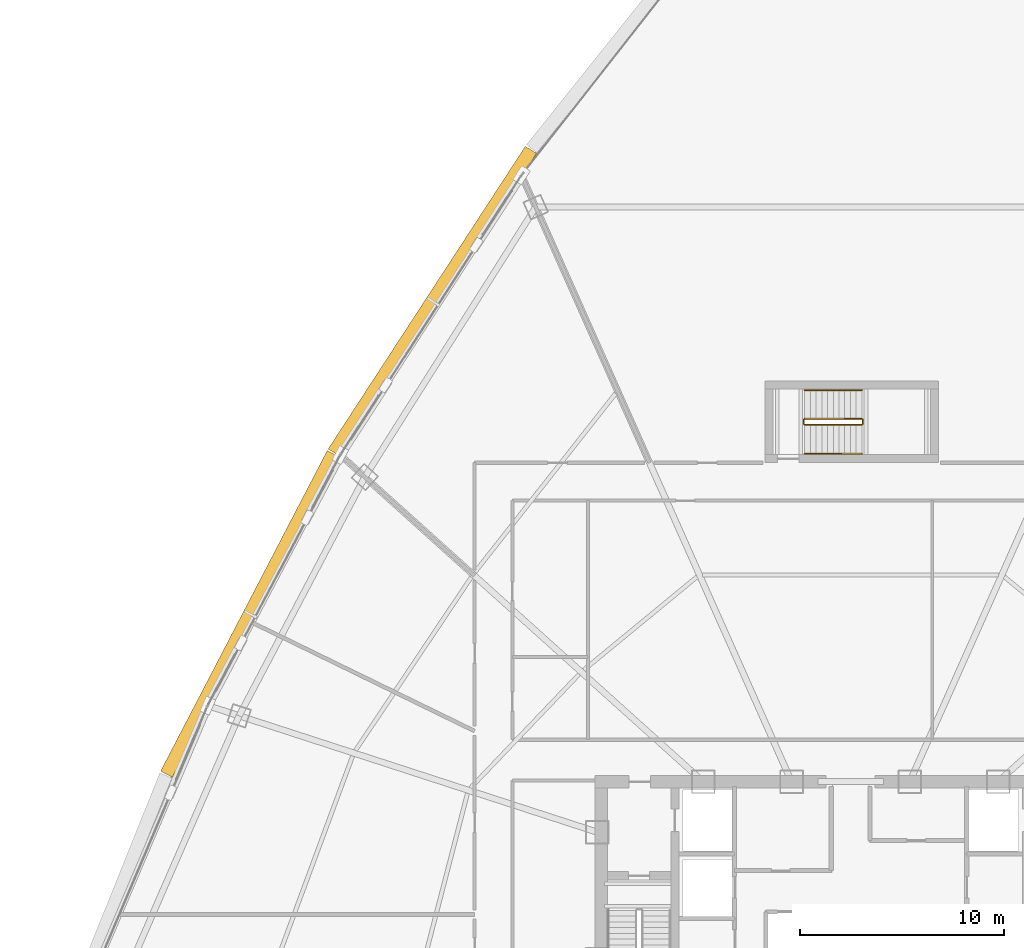
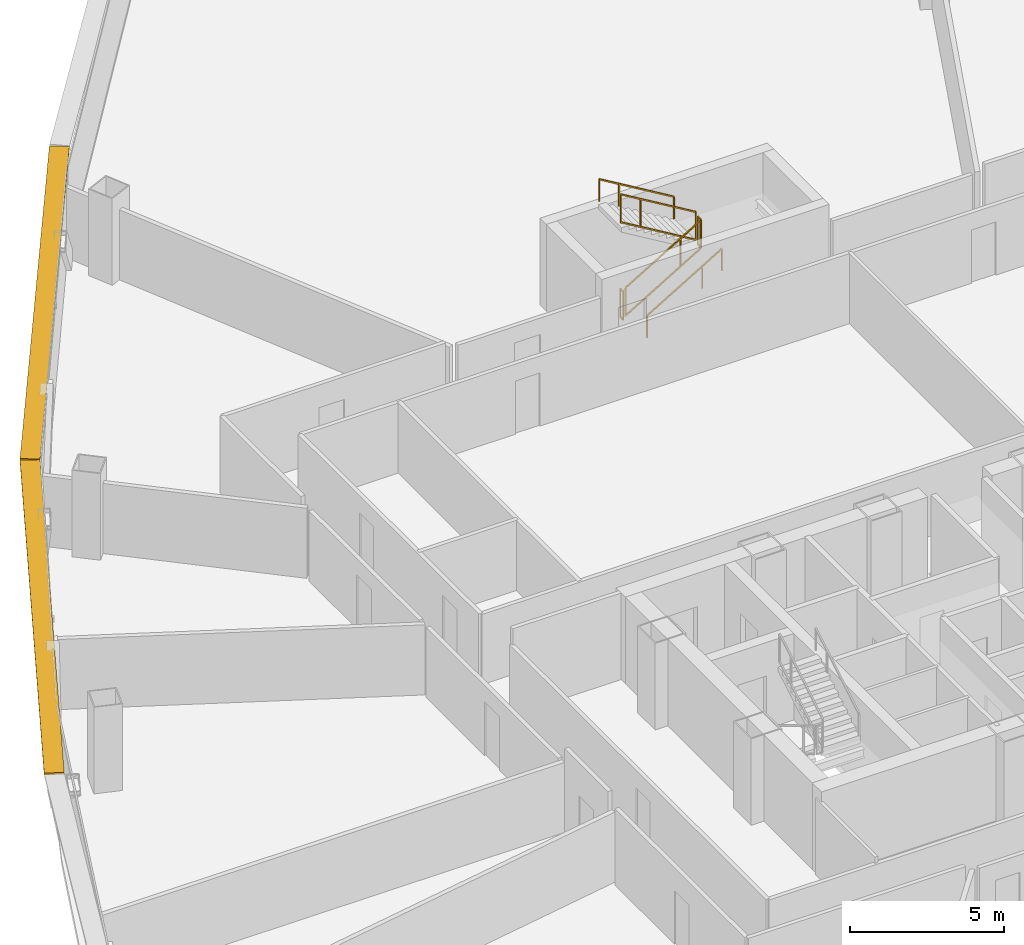
# One storey, part 38 of 39: 6 railings, 2 shading devices.
"""IFC4 building model written with IfcOpenShell, lengths in metres."""

from ifc_helpers import new_model, si_unit, direction, frame, origin, origin_2d, place, context, subcontext, project, spatial, rectangle, extrude, source, transform, mapped, material, layer, layer_set, type_object, element, save


model = new_model("IFC4")

# Units and contexts
model_context = context("Model", 3, precision=1e-05, world=origin(), true_north=direction((0.0, 1.0)))
body_context = subcontext(model_context, "Body", "Model", "MODEL_VIEW")
ifc_project = project(units=[si_unit("LENGTHUNIT", "METRE"), si_unit("AREAUNIT", "SQUARE_METRE"), si_unit("VOLUMEUNIT", "CUBIC_METRE"), si_unit("PLANEANGLEUNIT", "RADIAN"), si_unit("MASSUNIT", "GRAM", prefix="KILO"), si_unit("THERMODYNAMICTEMPERATUREUNIT", "KELVIN"), si_unit("POWERUNIT", "WATT")], contexts=[model_context])

# Site, building, storey
site_placement = place(None, origin())
site = spatial("IfcSite", under=ifc_project, at=site_placement, CompositionType="ELEMENT")
building_placement = place(site_placement, origin())
building = spatial("IfcBuilding", under=site, at=building_placement, Name="Yunzhuo Pagoda Commons", CompositionType="ELEMENT")
storey_placement = place(building_placement, frame((0.0, 0.0, 144.550048828125)))
storey = spatial("IfcBuildingStorey", under=building, at=storey_placement, Name="L36", CompositionType="ELEMENT", Elevation=144.550048828125)

# Railings
ifc_material = material(Name="Anodized aluminium 6063-T6", Category="aluminium")
railing_type_1 = type_object("IfcRailingType", Name="GR-ST3 North Well Guardrail 1155", PredefinedType="GUARDRAIL", material=ifc_material)
railing_1_placement = place(storey_placement, frame((45.75, 57.64990234375, 0.167236328125)))
element("IfcRailing", 1, at=railing_1_placement, inside=storey, type_object=railing_type_1, Name="L36 ST3 stair guard 1", PredefinedType="GUARDRAIL", context=body_context, shape_type="SweptSolid", body=[
    extrude(rectangle(XDim=0.048095703125, YDim=0.048095703125, at=origin_2d()), frame((0.0, 0.0, 1.1259765625), z_axis=(0.858495211305, 0.0, 0.512821579271), x_axis=(0.0, 1.0, 0.0)), (0.0, 0.0, 1.0), 3.261474609375),
    extrude(rectangle(XDim=0.048095703125, YDim=0.048095703125, at=origin_2d()), frame((0.0, 0.0, 0.02392578125), z_axis=(0.858495211305, 0.0, 0.512821579271), x_axis=(0.0, 1.0, 0.0)), (0.0, 0.0, 1.0), 3.261474609375),
    extrude(rectangle(XDim=0.0419921875, YDim=0.0419921875, at=origin_2d()), origin(), (0.0, 0.0, 1.0), 1.101806640625),
    extrude(rectangle(XDim=0.0419921875, YDim=0.0419921875, at=origin_2d()), frame((2.060302734375, 0.0, 1.230712890625)), (0.0, 0.0, 1.0), 1.101806640625),
    extrude(rectangle(XDim=0.0419921875, YDim=0.0419921875, at=origin_2d()), frame((2.800048828125, 0.0, 1.672607421875)), (0.0, 0.0, 1.0), 1.101806640625),
])
railing_2_placement = place(storey_placement, frame((48.60009765625, 57.699951171875, 1.83984375)))
element("IfcRailing", 2, at=railing_2_placement, inside=storey, type_object=railing_type_1, Name="L36 ST3 stair guard 2", PredefinedType="GUARDRAIL", context=body_context, shape_type="SweptSolid", body=[
    extrude(rectangle(XDim=0.048095703125, YDim=0.048095703125, at=origin_2d()), frame((0.0, 0.0, 1.1259765625), z_axis=(0.0, 1.0, 0.0), x_axis=(-1.0, 0.0, 0.0)), (0.0, 0.0, 1.0), 0.199951171875),
    extrude(rectangle(XDim=0.048095703125, YDim=0.048095703125, at=origin_2d()), frame((0.0, 0.0, 0.02392578125), z_axis=(0.0, 1.0, 0.0), x_axis=(-1.0, 0.0, 0.0)), (0.0, 0.0, 1.0), 0.199951171875),
    extrude(rectangle(XDim=0.0419921875, YDim=0.0419921875, at=origin_2d()), origin(), (0.0, 0.0, 1.0), 1.101806640625),
    extrude(rectangle(XDim=0.0419921875, YDim=0.0419921875, at=origin_2d()), frame((0.0, 0.199951171875, 0.0)), (0.0, 0.0, 1.0), 1.101806640625),
])
railing_3_placement = place(storey_placement, frame((48.550048828125, 57.949951171875, 2.00732421875)))
element("IfcRailing", 3, at=railing_3_placement, inside=storey, type_object=railing_type_1, Name="L36 ST3 stair guard 3", PredefinedType="GUARDRAIL", context=body_context, shape_type="SweptSolid", body=[
    extrude(rectangle(XDim=0.048095703125, YDim=0.048095703125, at=origin_2d()), frame((0.0, 0.0, 1.1259765625), z_axis=(-0.858495211305, 0.0, 0.512821579271), x_axis=(0.0, -1.0, 0.0)), (0.0, 0.0, 1.0), 3.261474609375),
    extrude(rectangle(XDim=0.048095703125, YDim=0.048095703125, at=origin_2d()), frame((0.0, 0.0, 0.02392578125), z_axis=(-0.858495211305, 0.0, 0.512821579271), x_axis=(0.0, -1.0, 0.0)), (0.0, 0.0, 1.0), 3.261474609375),
    extrude(rectangle(XDim=0.0419921875, YDim=0.0419921875, at=origin_2d()), origin(), (0.0, 0.0, 1.0), 1.101806640625),
    extrude(rectangle(XDim=0.0419921875, YDim=0.0419921875, at=origin_2d()), frame((-2.060302734375, 0.0, 1.230712890625)), (0.0, 0.0, 1.0), 1.101806640625),
    extrude(rectangle(XDim=0.0419921875, YDim=0.0419921875, at=origin_2d()), frame((-2.800048828125, 0.0, 1.672607421875)), (0.0, 0.0, 1.0), 1.101806640625),
])
railing_4_placement = place(storey_placement, frame((45.699951171875, 57.699951171875, 0.0)))
element("IfcRailing", 4, at=railing_4_placement, inside=storey, type_object=railing_type_1, Name="L36 ST3 stair guard 4", PredefinedType="GUARDRAIL", context=body_context, shape_type="SweptSolid", body=[
    extrude(rectangle(XDim=0.048095703125, YDim=0.048095703125, at=origin_2d()), frame((0.0, 0.0, 1.1259765625), z_axis=(0.0, 1.0, 0.0), x_axis=(-1.0, 0.0, 0.0)), (0.0, 0.0, 1.0), 0.199951171875),
    extrude(rectangle(XDim=0.048095703125, YDim=0.048095703125, at=origin_2d()), frame((0.0, 0.0, 0.02392578125), z_axis=(0.0, 1.0, 0.0), x_axis=(-1.0, 0.0, 0.0)), (0.0, 0.0, 1.0), 0.199951171875),
    extrude(rectangle(XDim=0.0419921875, YDim=0.0419921875, at=origin_2d()), origin(), (0.0, 0.0, 1.0), 1.101806640625),
    extrude(rectangle(XDim=0.0419921875, YDim=0.0419921875, at=origin_2d()), frame((0.0, 0.199951171875, 0.0)), (0.0, 0.0, 1.0), 1.101806640625),
])
railing_type_2 = type_object("IfcRailingType", Name="HR-ST3 North Stair Handrail 900", PredefinedType="HANDRAIL", material=ifc_material)
railing_5_placement = place(storey_placement, frame((45.75, 56.25, 0.167236328125)))
element("IfcRailing", 5, at=railing_5_placement, inside=storey, type_object=railing_type_2, Name="L36 ST3 stair handrail 1", PredefinedType="HANDRAIL", context=body_context, shape_type="SweptSolid", body=[
    extrude(rectangle(XDim=0.048095703125, YDim=0.048095703125, at=origin_2d()), frame((0.0, 0.0, 0.8759765625), z_axis=(0.858495211305, 0.0, 0.512821579271), x_axis=(0.0, 1.0, 0.0)), (0.0, 0.0, 1.0), 3.261474609375),
    extrude(rectangle(XDim=0.0419921875, YDim=0.0419921875, at=origin_2d()), origin(), (0.0, 0.0, 1.0), 0.851806640625),
    extrude(rectangle(XDim=0.0419921875, YDim=0.0419921875, at=origin_2d()), frame((2.060302734375, 0.0, 1.230712890625)), (0.0, 0.0, 1.0), 0.851806640625),
    extrude(rectangle(XDim=0.0419921875, YDim=0.0419921875, at=origin_2d()), frame((2.800048828125, 0.0, 1.672607421875)), (0.0, 0.0, 1.0), 0.851806640625),
])
railing_6_placement = place(storey_placement, frame((48.550048828125, 59.35009765625, 2.00732421875)))
element("IfcRailing", 6, at=railing_6_placement, inside=storey, type_object=railing_type_2, Name="L36 ST3 stair handrail 2", PredefinedType="HANDRAIL", context=body_context, shape_type="SweptSolid", body=[
    extrude(rectangle(XDim=0.048095703125, YDim=0.048095703125, at=origin_2d()), frame((0.0, 0.0, 0.8759765625), z_axis=(-0.858495211305, 0.0, 0.512821579271), x_axis=(0.0, -1.0, 0.0)), (0.0, 0.0, 1.0), 3.261474609375),
    extrude(rectangle(XDim=0.0419921875, YDim=0.0419921875, at=origin_2d()), origin(), (0.0, 0.0, 1.0), 0.851806640625),
    extrude(rectangle(XDim=0.0419921875, YDim=0.0419921875, at=origin_2d()), frame((-2.060302734375, 0.0, 1.230712890625)), (0.0, 0.0, 1.0), 0.851806640625),
    extrude(rectangle(XDim=0.0419921875, YDim=0.0419921875, at=origin_2d()), frame((-2.800048828125, 0.0, 1.672607421875)), (0.0, 0.0, 1.0), 0.851806640625),
])

# Shading devices
ifc_layer = layer(ifc_material, 0.080078125)
ifc_layer_set = layer_set([ifc_layer], Name="Anodized aluminium 6063-T6")
shading_device_type = type_object("IfcShadingDeviceType", Name="SH-SUN1 Pagoda Horizontal Sunshade Eave 650", PredefinedType="USERDEFINED", material=ifc_layer_set)
shared_shape = source(origin(), body_context, "Body", "SweptSolid", [
    extrude(rectangle(XDim=17.672607421875, YDim=0.64990234375, at=origin_2d()), origin(), (0.0, 0.0, 1.0), 0.080078125),
])
for number, where, z_axis, x_axis, name in (
    (7, (27.535888671875, 63.70263671875, 3.33984375), (0.0, 0.0, 1.0), (-0.545853380833, -0.837880711458, 0.0), "L36 horizontal pagoda sunshade eave F3.2"),
    (8, (18.605224609375, 48.403564453125, 3.33984375), (0.0, 0.0, 1.0), (-0.461206683033, -0.88729273384, 0.0), "L36 horizontal pagoda sunshade eave F3.3"),
):
    element("IfcShadingDevice", number, at=place(storey_placement, frame(where, z_axis=z_axis, x_axis=x_axis)), inside=storey, type_object=shading_device_type, Name=name, ObjectType="SUNSHADE", PredefinedType="USERDEFINED", context=body_context, shape_type="MappedRepresentation", body=[
        mapped(shared_shape, transform((0.0, 0.0, 0.0), scale=1.0)),
    ])

save(model, "model.ifc")
